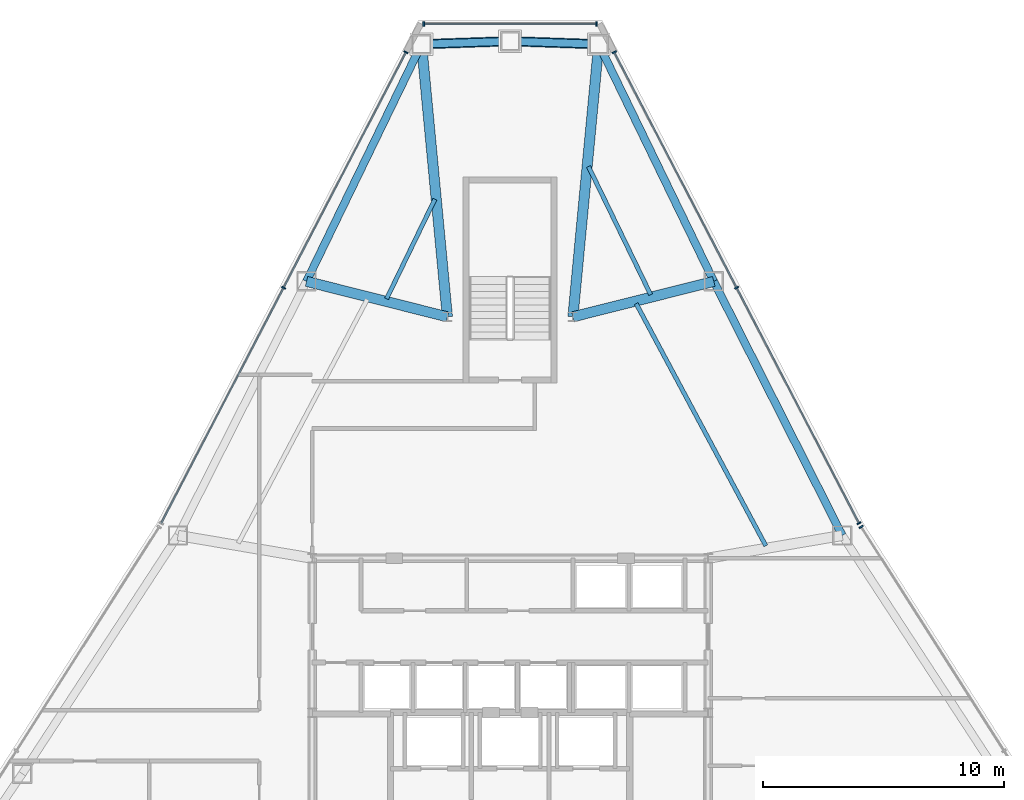
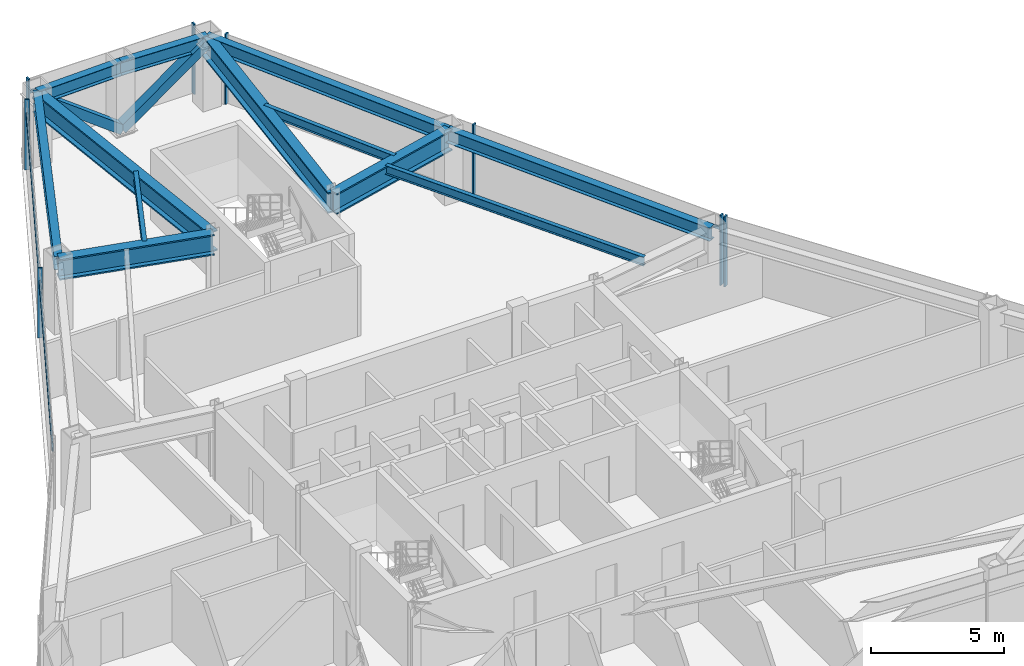
# One storey, part 8 of 13: 13 members, 12 beams, 4 elements without a shape of their own.
"""IFC4 building model written with IfcOpenShell, lengths in metres."""

from ifc_helpers import new_model, si_unit, direction, frame, origin, origin_2d, place, context, subcontext, project, spatial, rectangle, hollow_rectangle, i_section, extrude, source, transform, mapped, material, layer, layer_set, material_profile, profile_set, type_object, type_shapes, element, aggregate, save


model = new_model("IFC4")

# Units and contexts
model_context = context("Model", 3, precision=1e-05, world=origin(), true_north=direction((0.0, 1.0)))
body_context = subcontext(model_context, "Body", "Model", "MODEL_VIEW")
ifc_project = project(units=[si_unit("LENGTHUNIT", "METRE"), si_unit("AREAUNIT", "SQUARE_METRE"), si_unit("VOLUMEUNIT", "CUBIC_METRE"), si_unit("PLANEANGLEUNIT", "RADIAN"), si_unit("MASSUNIT", "GRAM", prefix="KILO")], contexts=[model_context])

# Site, building, storey
site_placement = place(None, origin())
site = spatial("IfcSite", under=ifc_project, at=site_placement, CompositionType="ELEMENT")
building_placement = place(site_placement, origin())
building = spatial("IfcBuilding", under=site, at=building_placement, Name="Varakhsha Concourse Tower", CompositionType="ELEMENT")
storey_placement = place(building_placement, frame((0.0, 0.0, 186.14990234375)))
storey = spatial("IfcBuildingStorey", under=building, at=storey_placement, Name="L53", CompositionType="ELEMENT", Elevation=186.14990234375)

# Beams
ifc_material_1 = material(Name="Structural Steel ASTM A992 Grade 50", Category="steel")
ifc_material_profile_1 = material_profile(ifc_material_1, i_section(OverallWidth=0.177978515625, OverallDepth=0.406982421875, WebThickness=0.008056640625, FlangeThickness=0.012939453125, at=origin_2d()), Name="W16X40")
ifc_profile_set_1 = profile_set([ifc_material_profile_1], Name="Structural Steel ASTM A992 Grade 50")
beam_type_1 = type_object("IfcBeamType", Name="BM-JST-W16X40", PredefinedType="JOIST", material=ifc_profile_set_1)
beam_1_placement = place(storey_placement, frame((36.88134765625, 46.07080078125, 3.006591796875), z_axis=(-0.436448531926, -0.899729225367, 0.0), x_axis=(0.899729225367, -0.436448531926, 0.0)))
element("IfcBeam", 1, at=beam_1_placement, inside=storey, type_object=beam_type_1, Name="BM-TJST-L53-03", PredefinedType="JOIST", context=body_context, shape_type="SweptSolid", body=[
    extrude(i_section(OverallWidth=0.177978515625, OverallDepth=0.406982421875, WebThickness=0.008056640625, FlangeThickness=0.012939453125, at=origin_2d()), origin(), (0.0, 0.0, 1.0), 4.585693359375),
])
beam_2_placement = place(storey_placement, frame((50.593994140625, 31.712158203125, 3.006591796875), z_axis=(-0.472008954275, 0.881593753996, 0.0), x_axis=(-0.881593753996, -0.472008954275, 0.0)))
element("IfcBeam", 2, at=beam_2_placement, inside=storey, type_object=beam_type_1, Name="BM-TJST-L53-17", PredefinedType="JOIST", context=body_context, shape_type="SweptSolid", body=[
    extrude(i_section(OverallWidth=0.177978515625, OverallDepth=0.406982421875, WebThickness=0.008056640625, FlangeThickness=0.012939453125, at=origin_2d()), origin(), (0.0, 0.0, 1.0), 11.385009765625),
])
beam_3_placement = place(storey_placement, frame((45.82080078125, 42.12109375, 3.006591796875), z_axis=(-0.436499023114, 0.899704730909, 0.0), x_axis=(-0.899704730909, -0.436499023114, 0.0)))
element("IfcBeam", 3, at=beam_3_placement, inside=storey, type_object=beam_type_1, Name="BM-TJST-L53-18", PredefinedType="JOIST", context=body_context, shape_type="SweptSolid", body=[
    extrude(i_section(OverallWidth=0.177978515625, OverallDepth=0.406982421875, WebThickness=0.008056640625, FlangeThickness=0.012939453125, at=origin_2d()), origin(), (0.0, 0.0, 1.0), 5.896240234375),
])
ifc_material_profile_2 = material_profile(ifc_material_1, i_section(OverallWidth=0.423095703125, OverallDepth=0.947998046875, WebThickness=0.0380859375, FlangeThickness=0.06396484375, at=origin_2d()), Name="W36X302")
ifc_profile_set_2 = profile_set([ifc_material_profile_2], Name="Structural Steel ASTM A992 Grade 50")
beam_type_2 = type_object("IfcBeamType", Name="BM-OUTR-W36X302", PredefinedType="USERDEFINED", material=ifc_profile_set_2)
for number, where, z_axis, x_axis, name in (
    (4, (42.60009765625, 41.199951171875, 2.736083984375), (0.094297260955, 0.995544085702, 0.0), (-0.995544085702, 0.094297260955, 0.0), "L53 Radial Floor Girder 01"),
    (5, (37.39990234375, 41.199951171875, 2.736083984375), (-0.094297260955, 0.995544085702, 0.0), (-0.995544085702, -0.094297260955, 0.0), "L53 Radial Floor Girder 03"),
):
    element("IfcBeam", number, at=place(storey_placement, frame(where, z_axis=z_axis, x_axis=x_axis)), inside=storey, type_object=beam_type_2, Name=name, ObjectType="GIRDER", PredefinedType="USERDEFINED", context=body_context, shape_type="SweptSolid", body=[
        extrude(i_section(OverallWidth=0.423095703125, OverallDepth=0.947998046875, WebThickness=0.0380859375, FlangeThickness=0.06396484375, at=origin_2d()), origin(), (0.0, 0.0, 1.0), 11.34521484375),
    ])
for number, where, z_axis, x_axis, name in (
    (6, (37.39990234375, 41.199951171875, 2.736083984375), (-0.969788332114, 0.243947926607, 0.0), (-0.243947926607, -0.969788332114, 0.0), "L53 Radial Floor Girder 04"),
    (7, (42.60009765625, 41.199951171875, 2.736083984375), (0.969788332114, 0.243947926607, 0.0), (-0.243947926607, 0.969788332114, 0.0), "L53 Radial Floor Girder 18"),
):
    element("IfcBeam", number, at=place(storey_placement, frame(where, z_axis=z_axis, x_axis=x_axis)), inside=storey, type_object=beam_type_2, Name=name, ObjectType="GIRDER", PredefinedType="USERDEFINED", context=body_context, shape_type="SweptSolid", body=[
        extrude(i_section(OverallWidth=0.423095703125, OverallDepth=0.947998046875, WebThickness=0.0380859375, FlangeThickness=0.06396484375, at=origin_2d()), origin(), (0.0, 0.0, 1.0), 6.018798828125),
    ])
ifc_material_profile_3 = material_profile(ifc_material_1, i_section(OverallWidth=0.323974609375, OverallDepth=0.611083984375, WebThickness=0.012939453125, FlangeThickness=0.01904296875, at=origin_2d()), Name="W24X104")
ifc_profile_set_3 = profile_set([ifc_material_profile_3], Name="Structural Steel ASTM A992 Grade 50")
beam_type_3 = type_object("IfcBeamType", Name="BM-SPAN-W24X104", PredefinedType="SPANDREL", material=ifc_profile_set_3)
for number, where, z_axis, x_axis, name in (
    (8, (43.669921875, 52.49462890625, 2.904541015625), (-0.999433931978, 0.033642467375, 0.0), (-0.033642467375, -0.999433931978, 0.0), "BM-SPAN-L53-01"),
    (9, (40.0, 52.6181640625, 2.904541015625), (-0.999433931978, -0.033642467375, 0.0), (0.033642467375, -0.999433931978, 0.0), "BM-SPAN-L53-02"),
):
    element("IfcBeam", number, at=place(storey_placement, frame(where, z_axis=z_axis, x_axis=x_axis)), inside=storey, type_object=beam_type_3, Name=name, PredefinedType="SPANDREL", context=body_context, shape_type="SweptSolid", body=[
        extrude(i_section(OverallWidth=0.323974609375, OverallDepth=0.611083984375, WebThickness=0.012939453125, FlangeThickness=0.01904296875, at=origin_2d()), origin(), (0.0, 0.0, 1.0), 3.672119140625),
    ])
beam_4_placement = place(storey_placement, frame((36.330078125, 52.49462890625, 2.904541015625), z_axis=(-0.436478617516, -0.899714630564, 0.0), x_axis=(0.899714630564, -0.436478617516, 0.0)))
element("IfcBeam", 10, at=beam_4_placement, inside=storey, type_object=beam_type_3, Name="BM-SPAN-L53-03", PredefinedType="SPANDREL", context=body_context, shape_type="SweptSolid", body=[
    extrude(i_section(OverallWidth=0.323974609375, OverallDepth=0.611083984375, WebThickness=0.012939453125, FlangeThickness=0.01904296875, at=origin_2d()), origin(), (0.0, 0.0, 1.0), 10.921630859375),
])
beam_5_placement = place(storey_placement, frame((53.759033203125, 32.143798828125, 2.904541015625), z_axis=(-0.451266437973, 0.892389265937, 0.0), x_axis=(-0.892389265937, -0.451266437973, 0.0)))
element("IfcBeam", 11, at=beam_5_placement, inside=storey, type_object=beam_type_3, Name="BM-SPAN-L53-17", PredefinedType="SPANDREL", context=body_context, shape_type="SweptSolid", body=[
    extrude(i_section(OverallWidth=0.323974609375, OverallDepth=0.611083984375, WebThickness=0.012939453125, FlangeThickness=0.01904296875, at=origin_2d()), origin(), (0.0, 0.0, 1.0), 11.79345703125),
])
beam_6_placement = place(storey_placement, frame((48.43701171875, 42.668212890625, 2.904541015625), z_axis=(-0.436478617516, 0.899714630564, 0.0), x_axis=(-0.899714630564, -0.436478617516, 0.0)))
element("IfcBeam", 12, at=beam_6_placement, inside=storey, type_object=beam_type_3, Name="BM-SPAN-L53-18", PredefinedType="SPANDREL", context=body_context, shape_type="SweptSolid", body=[
    extrude(i_section(OverallWidth=0.323974609375, OverallDepth=0.611083984375, WebThickness=0.012939453125, FlangeThickness=0.01904296875, at=origin_2d()), origin(), (0.0, 0.0, 1.0), 10.921630859375),
])

# Members
ifc_material_2 = material(Name="Structural Steel ASTM A500 Grade C", Category="steel")
ifc_material_profile_4 = material_profile(ifc_material_2, hollow_rectangle(XDim=0.39990234375, YDim=0.39990234375, WallThickness=0.01611328125, at=origin_2d()), Name="HSS 400x400x16")
ifc_profile_set_4 = profile_set([ifc_material_profile_4], Name="Structural Steel ASTM A500 Grade C")
member_type_1 = type_object("IfcMemberType", Name="MB-TUBE-HSS400", PredefinedType="BRACE", material=ifc_profile_set_4)
shared_shape_1 = source(origin(), body_context, "Body", "SweptSolid", [
    extrude(hollow_rectangle(XDim=0.39990234375, YDim=0.39990234375, WallThickness=0.01611328125, at=origin_2d()), origin(), (0.0, 0.0, 1.0), 4.61181640625),
])
type_shapes(member_type_1, [shared_shape_1])
for number, where, z_axis, x_axis, name in (
    (13, (40.0, 52.6181640625, 0.1201171875), (0.795782635684, -0.026787254767, 0.604989619518), (0.033642467375, 0.999433931978, 0.0), "L53 Wind-Corner Tube Brace B01"),
    (14, (40.0, 52.6181640625, 0.1201171875), (-0.795782635684, -0.026787254767, 0.604989619518), (0.033642467375, -0.999433931978, 0.0), "L53 Wind-Corner Tube Brace B02"),
):
    element("IfcMember", number, at=place(storey_placement, frame(where, z_axis=z_axis, x_axis=x_axis)), inside=storey, type_object=member_type_1, Name=name, PredefinedType="BRACE", context=body_context, shape_type="MappedRepresentation", body=[
        mapped(shared_shape_1, transform((0.0, 0.0, 0.0), scale=1.0)),
    ])

# Curtain wall, members
ifc_material_3 = material(Name="Anodised Bronze Architectural Aluminium AA 6063-T6", Category="aluminium")
ifc_layer = layer(ifc_material_3, 0.2099609375, Name="CW-SYS-04")
ifc_layer_set = layer_set([ifc_layer], Name="Anodised Bronze Architectural Aluminium AA 6063-T6")
curtain_wall_type = type_object("IfcCurtainWallType", Name="CW-SYS-04", PredefinedType="NOTDEFINED", material=ifc_layer_set)
curtain_wall_1_placement = place(storey_placement, origin())
curtain_wall_1 = element("IfcCurtainWall", 15, at=curtain_wall_1_placement, inside=storey, type_object=curtain_wall_type, Name="L53 Chamfer Curtain Wall F1", PredefinedType="NOTDEFINED")
ifc_material_profile_5 = material_profile(ifc_material_3, rectangle(XDim=0.06494140625, YDim=0.179931640625, at=origin_2d()), Name="CWM-180X65")
ifc_profile_set_5 = profile_set([ifc_material_profile_5], Name="Anodised Bronze Architectural Aluminium AA 6063-T6")
member_type_2 = type_object("IfcMemberType", Name="CWM-180X65", PredefinedType="MULLION", material=ifc_profile_set_5)
shared_shape_2 = source(origin(), body_context, "Body", "SweptSolid", [
    extrude(rectangle(XDim=0.06494140625, YDim=0.179931640625, at=origin_2d()), origin(), (0.0, 0.0, 1.0), 3.210205078125),
])
type_shapes(member_type_2, [shared_shape_2])
member_1_placement = place(storey_placement, frame((36.419921875, 53.338134765625, 0.0), z_axis=(0.0, 0.0, 1.0), x_axis=(1.0, 0.0, 0.0)))
member_1 = element("IfcMember", 16, at=member_1_placement, type_object=member_type_2, Name="CW-L53-F1 Mullion 00", PredefinedType="MULLION", context=body_context, shape_type="MappedRepresentation", body=[
    mapped(shared_shape_2, transform((0.0, 0.0, 0.0), scale=1.0)),
])
member_2_placement = place(storey_placement, frame((43.580078125, 53.338134765625, 0.0), z_axis=(0.0, 0.0, 1.0), x_axis=(1.0, 0.0, 0.0)))
member_2 = element("IfcMember", 17, at=member_2_placement, type_object=member_type_2, Name="CW-L53-F1 Mullion 01", PredefinedType="MULLION", context=body_context, shape_type="MappedRepresentation", body=[
    mapped(shared_shape_2, transform((0.0, 0.0, 0.0), scale=1.0)),
])

curtain_wall_2_placement = place(storey_placement, origin())
curtain_wall_2 = element("IfcCurtainWall", 18, at=curtain_wall_2_placement, inside=storey, type_object=curtain_wall_type, Name="L53 Crystal Curtain Wall F2", PredefinedType="NOTDEFINED")
member_3_placement = place(storey_placement, frame((30.615234375, 42.405517578125, 0.0), z_axis=(0.0, 0.0, 1.0), x_axis=(0.461155577875, 0.887319295967, 0.0)))
member_3 = element("IfcMember", 19, at=member_3_placement, type_object=member_type_2, Name="CW-L53-F2 Mullion 01", PredefinedType="MULLION", context=body_context, shape_type="MappedRepresentation", body=[
    mapped(shared_shape_2, transform((0.0, 0.0, 0.0), scale=1.0)),
])
member_4_placement = place(storey_placement, frame((35.68701171875, 52.164306640625, 0.0), z_axis=(0.0, 0.0, 1.0), x_axis=(0.461155577875, 0.887319295967, 0.0)))
member_4 = element("IfcMember", 20, at=member_4_placement, type_object=member_type_2, Name="CW-L53-F2 Mullion 02", PredefinedType="MULLION", context=body_context, shape_type="MappedRepresentation", body=[
    mapped(shared_shape_2, transform((0.0, 0.0, 0.0), scale=1.0)),
])

# Curtain wall, member
curtain_wall_3_placement = place(storey_placement, origin())
curtain_wall_3 = element("IfcCurtainWall", 21, at=curtain_wall_3_placement, inside=storey, type_object=curtain_wall_type, Name="L53 Crystal Curtain Wall F8", PredefinedType="NOTDEFINED")
member_5_placement = place(storey_placement, frame((54.54345703125, 32.49609375, 0.0), z_axis=(0.0, 0.0, 1.0), x_axis=(0.537863262638, -0.84303209352, 0.0)))
member_5 = element("IfcMember", 22, at=member_5_placement, type_object=member_type_2, Name="CW-L53-F8 Mullion 00", PredefinedType="MULLION", context=body_context, shape_type="MappedRepresentation", body=[
    mapped(shared_shape_2, transform((0.0, 0.0, 0.0), scale=1.0)),
])
aggregate(curtain_wall_3, [member_5])

# Curtain wall, members
curtain_wall_4_placement = place(storey_placement, origin())
curtain_wall_4 = element("IfcCurtainWall", 23, at=curtain_wall_4_placement, inside=storey, type_object=curtain_wall_type, Name="L53 Crystal Curtain Wall F9", PredefinedType="NOTDEFINED")
member_6_placement = place(storey_placement, frame((44.31298828125, 52.164306640625, 0.0), z_axis=(0.0, 0.0, 1.0), x_axis=(0.461155577875, -0.887319295967, 0.0)))
member_6 = element("IfcMember", 24, at=member_6_placement, type_object=member_type_2, Name="CW-L53-F9 Mullion 00", PredefinedType="MULLION", context=body_context, shape_type="MappedRepresentation", body=[
    mapped(shared_shape_2, transform((0.0, 0.0, 0.0), scale=1.0)),
])
member_7_placement = place(storey_placement, frame((49.384765625, 42.40576171875, 0.0), z_axis=(0.0, 0.0, 1.0), x_axis=(0.461155577875, -0.887319295967, 0.0)))
member_7 = element("IfcMember", 25, at=member_7_placement, type_object=member_type_2, Name="CW-L53-F9 Mullion 01", PredefinedType="MULLION", context=body_context, shape_type="MappedRepresentation", body=[
    mapped(shared_shape_2, transform((0.0, 0.0, 0.0), scale=1.0)),
])
member_8_placement = place(storey_placement, frame((54.45654296875, 32.64697265625, 0.0), z_axis=(0.0, 0.0, 1.0), x_axis=(0.461155577875, -0.887319295967, 0.0)))
member_8 = element("IfcMember", 26, at=member_8_placement, type_object=member_type_2, Name="CW-L53-F9 Mullion 02", PredefinedType="MULLION", context=body_context, shape_type="MappedRepresentation", body=[
    mapped(shared_shape_2, transform((0.0, 0.0, 0.0), scale=1.0)),
])

# Member
ifc_material_profile_6 = material_profile(ifc_material_3, rectangle(XDim=0.06005859375, YDim=0.139892578125, at=origin_2d()), Name="CWT-140X60")
ifc_profile_set_6 = profile_set([ifc_material_profile_6], Name="Anodised Bronze Architectural Aluminium AA 6063-T6")
member_type_3 = type_object("IfcMemberType", Name="CWT-140X60", PredefinedType="USERDEFINED", material=ifc_profile_set_6)
shared_shape_3 = source(origin(), body_context, "Body", "SweptSolid", [
    extrude(rectangle(XDim=0.06005859375, YDim=0.139892578125, at=origin_2d()), origin(), (0.0, 0.0, 1.0), 21.995849609375),
])
member_9_placement = place(storey_placement, frame((25.54345703125, 32.64697265625, 2.56005859375), z_axis=(0.461157367844, 0.887318365686, 0.0), x_axis=(-0.887318365686, 0.461157367844, 0.0)))
member_9 = element("IfcMember", 27, at=member_9_placement, type_object=member_type_3, Name="CW-L53-F2 Transom 01", ObjectType="TRANSOM", PredefinedType="USERDEFINED", context=body_context, shape_type="MappedRepresentation", body=[
    mapped(shared_shape_3, transform((0.0, 0.0, 0.0), scale=1.0)),
])

aggregate(curtain_wall_2, [member_3, member_4, member_9])

member_10_placement = place(storey_placement, frame((44.31298828125, 52.164306640625, 2.56005859375), z_axis=(0.461157367844, -0.887318365686, 0.0), x_axis=(0.887318365686, 0.461157367844, 0.0)))
member_10 = element("IfcMember", 28, at=member_10_placement, type_object=member_type_3, Name="CW-L53-F9 Transom 01", ObjectType="TRANSOM", PredefinedType="USERDEFINED", context=body_context, shape_type="MappedRepresentation", body=[
    mapped(shared_shape_3, transform((0.0, 0.0, 0.0), scale=1.0)),
])

aggregate(curtain_wall_4, [member_6, member_7, member_8, member_10])

shared_shape_4 = source(origin(), body_context, "Body", "SweptSolid", [
    extrude(rectangle(XDim=0.06005859375, YDim=0.139892578125, at=origin_2d()), origin(), (0.0, 0.0, 1.0), 7.16015625),
])
type_shapes(member_type_3, [shared_shape_3, shared_shape_4])
member_11_placement = place(storey_placement, frame((36.419921875, 53.338134765625, 2.56005859375), z_axis=(1.0, 0.0, 0.0), x_axis=(0.0, 1.0, 0.0)))
member_11 = element("IfcMember", 29, at=member_11_placement, type_object=member_type_3, Name="CW-L53-F1 Transom 01", ObjectType="TRANSOM", PredefinedType="USERDEFINED", context=body_context, shape_type="MappedRepresentation", body=[
    mapped(shared_shape_4, transform((0.0, 0.0, 0.0), scale=1.0)),
])

aggregate(curtain_wall_1, [member_1, member_2, member_11])

save(model, "model.ifc")
